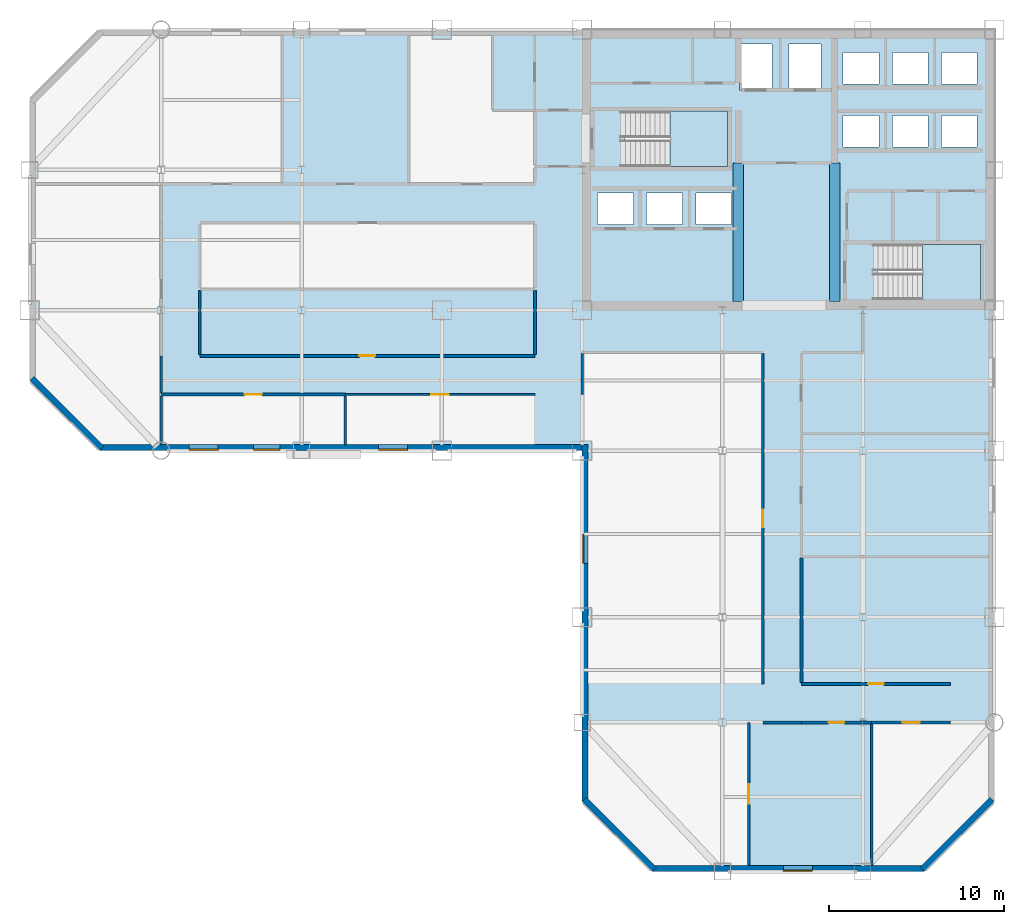
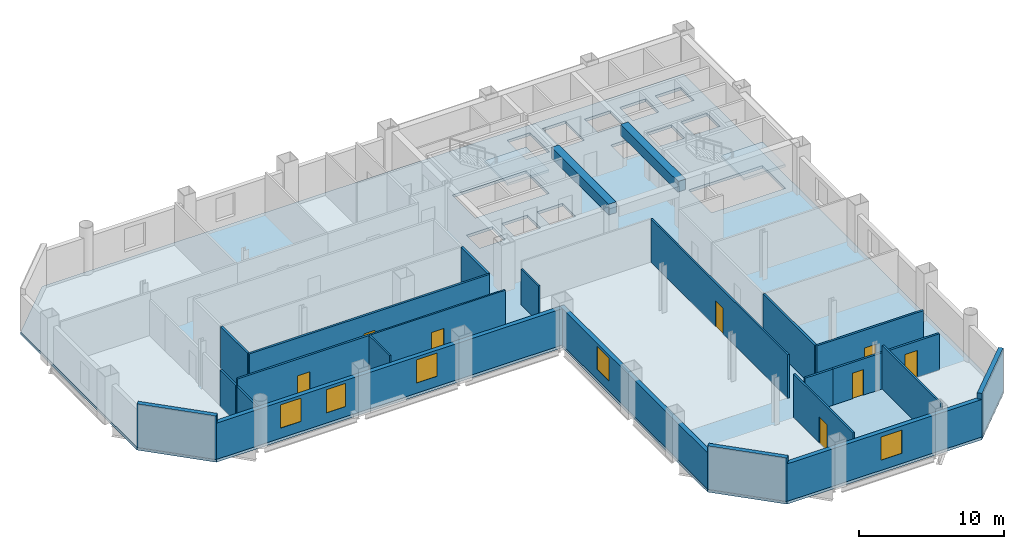
# One storey, part 5 of 10: 23 walls, 8 doors, 5 windows, 3 slabs, 2 beams, 13 openings, 2 elements without a shape of their own.
"""IFC4 building model written with IfcOpenShell, lengths in metres."""

from ifc_helpers import new_model, si_unit, direction, frame, frame_2d, origin, origin_2d, place, context, subcontext, project, spatial, polyline, rectangle, outline, extrude, material, layer, layer_set, material_profile, profile_set, type_object, element, fill, aggregate, save


model = new_model("IFC4")

# Units and contexts
model_context = context("Model", 3, precision=1e-05, world=origin(), true_north=direction((0.0, 1.0)))
body_context = subcontext(model_context, "Body", "Model", "MODEL_VIEW")
ifc_project = project(units=[si_unit("LENGTHUNIT", "METRE"), si_unit("AREAUNIT", "SQUARE_METRE"), si_unit("VOLUMEUNIT", "CUBIC_METRE"), si_unit("PLANEANGLEUNIT", "RADIAN"), si_unit("MASSUNIT", "GRAM", prefix="KILO")], contexts=[model_context])

# Site, building, storey
site_placement = place(None, origin())
site = spatial("IfcSite", under=ifc_project, at=site_placement, CompositionType="ELEMENT")
building_placement = place(site_placement, origin())
building = spatial("IfcBuilding", under=site, at=building_placement, Name="Qianrong Seaharbour Tower", CompositionType="ELEMENT")
storey_placement = place(building_placement, frame((0.0, 0.0, 191.0)))
storey = spatial("IfcBuildingStorey", under=building, at=storey_placement, Name="L46", CompositionType="ELEMENT", Elevation=191.0)

# Beams
ifc_material_1 = material(Name="Concrete C70/85", Category="concrete")
ifc_material_profile = material_profile(ifc_material_1, rectangle(XDim=0.60009765625, YDim=0.89990234375, at=origin_2d()), Name="RC600x900")
ifc_profile_set = profile_set([ifc_material_profile], Name="Concrete C70/85")
beam_type = type_object("IfcBeamType", Name="BM-LINTEL-900", PredefinedType="LINTEL", material=ifc_profile_set)
for number, where, z_axis, x_axis, name in (
    (1, (49.39990234375, 36.5, 3.199951171875), (0.0, 1.0, 0.0), (-1.0, 0.0, 0.0), "L46 Internal Core Coupling Beam IW1"),
    (2, (54.89990234375, 36.5, 3.199951171875), (0.0, 1.0, 0.0), (-1.0, 0.0, 0.0), "L46 Internal Core Coupling Beam IW2"),
):
    element("IfcBeam", number, at=place(storey_placement, frame(where, z_axis=z_axis, x_axis=x_axis)), inside=storey, type_object=beam_type, Name=name, PredefinedType="LINTEL", context=body_context, shape_type="SweptSolid", body=[
        extrude(rectangle(XDim=0.60009765625, YDim=0.89990234375, at=origin_2d()), origin(), (0.0, 0.0, 1.0), 7.89990234375),
    ])

# Stair, slab
ifc_material_2 = material(Name="Concrete C50/60", Category="concrete")
stair_type = type_object("IfcStairType", Name="STAIR-DOGLEG-1500-R22", PredefinedType="HALF_TURN_STAIR", material=ifc_material_2)
stair_1_placement = place(storey_placement, origin())
stair_1 = element("IfcStair", 3, at=stair_1_placement, inside=storey, type_object=stair_type, Name="L46 Protected Escape Stair ST-1", PredefinedType="HALF_TURN_STAIR")
ifc_layer_1 = layer(ifc_material_2, 0.199951171875)
ifc_layer_set_1 = layer_set([ifc_layer_1], Name="Concrete C50/60")
slab_type_1 = type_object("IfcSlabType", Name="SLAB-STAIR-LANDING-200", PredefinedType="LANDING", material=ifc_layer_set_1)
slab_1_placement = place(storey_placement, frame((0.0, 0.0, 1.800048828125)))
slab_1 = element("IfcSlab", 4, at=slab_1_placement, type_object=slab_type_1, Name="ST-1 landing 1", PredefinedType="LANDING", context=body_context, shape_type="SweptSolid", body=[
    extrude(outline(polyline([(45.5, 44.199951171875), (48.800048828125, 44.199951171875), (48.800048828125, 47.35009765625), (45.5, 47.35009765625), (45.5, 44.199951171875)])), origin(), (0.0, 0.0, 1.0), 0.199951171875),
])
aggregate(stair_1, [slab_1])

stair_2_placement = place(storey_placement, origin())
stair_2 = element("IfcStair", 5, at=stair_2_placement, inside=storey, type_object=stair_type, Name="L46 Protected Escape Stair ST-2", PredefinedType="HALF_TURN_STAIR")
slab_2_placement = place(storey_placement, frame((0.0, 0.0, 1.800048828125)))
slab_2 = element("IfcSlab", 6, at=slab_2_placement, type_object=slab_type_1, Name="ST-2 landing 1", PredefinedType="LANDING", context=body_context, shape_type="SweptSolid", body=[
    extrude(outline(polyline([(59.89990234375, 36.60009765625), (63.199951171875, 36.60009765625), (63.199951171875, 39.75), (59.89990234375, 39.75), (59.89990234375, 36.60009765625)])), origin(), (0.0, 0.0, 1.0), 0.199951171875),
])
aggregate(stair_2, [slab_2])

# Slab
ifc_layer_2 = layer(ifc_material_2, 0.235107421875)
ifc_layer_set_2 = layer_set([ifc_layer_2], Name="Concrete C50/60")
slab_type_2 = type_object("IfcSlabType", Name="SLAB-Z2-235", PredefinedType="FLOOR", material=ifc_layer_set_2)
slab_3_placement = place(storey_placement, frame((0.0, 0.0, -0.235107421875)))
element("IfcSlab", 7, at=slab_3_placement, inside=storey, type_object=slab_type_2, Name="L46 Structural Floor Slab", PredefinedType="FLOOR", context=body_context, shape_type="SweptSolid", body=[
    extrude(outline(polyline([(44.5, 4.0), (60.0, 4.0), (64.0, 8.0), (64.0, 52.0), (13.0, 52.0), (9.0, 48.0), (9.0, 32.0), (13.0, 28.0), (40.5, 28.0), (40.5, 8.0), (44.5, 4.0)]), holes=[polyline([(42.93994140625, 44.199951171875), (42.93994140625, 47.35009765625), (48.800048828125, 47.35009765625), (48.800048828125, 44.199951171875), (42.93994140625, 44.199951171875)]), polyline([(57.340087890625, 36.60009765625), (57.340087890625, 39.75), (63.199951171875, 39.75), (63.199951171875, 36.60009765625), (57.340087890625, 36.60009765625)]), polyline([(49.47998046875, 48.530029296875), (49.47998046875, 51.169921875), (51.320068359375, 51.169921875), (51.320068359375, 48.530029296875), (49.47998046875, 48.530029296875)]), polyline([(52.280029296875, 48.530029296875), (52.280029296875, 51.169921875), (54.1201171875, 51.169921875), (54.1201171875, 48.530029296875), (52.280029296875, 48.530029296875)]), polyline([(41.3798828125, 40.89990234375), (41.3798828125, 42.699951171875), (43.419921875, 42.699951171875), (43.419921875, 40.89990234375), (41.3798828125, 40.89990234375)]), polyline([(44.179931640625, 40.89990234375), (44.179931640625, 42.699951171875), (46.219970703125, 42.699951171875), (46.219970703125, 40.89990234375), (44.179931640625, 40.89990234375)]), polyline([(46.97998046875, 40.89990234375), (46.97998046875, 42.699951171875), (49.02001953125, 42.699951171875), (49.02001953125, 40.89990234375), (46.97998046875, 40.89990234375)]), polyline([(55.3798828125, 45.300048828125), (55.3798828125, 47.10009765625), (57.419921875, 47.10009765625), (57.419921875, 45.300048828125), (55.3798828125, 45.300048828125)]), polyline([(58.179931640625, 45.300048828125), (58.179931640625, 47.10009765625), (60.219970703125, 47.10009765625), (60.219970703125, 45.300048828125), (58.179931640625, 45.300048828125)]), polyline([(60.97998046875, 45.300048828125), (60.97998046875, 47.10009765625), (63.02001953125, 47.10009765625), (63.02001953125, 45.300048828125), (60.97998046875, 45.300048828125)]), polyline([(55.3798828125, 48.89990234375), (55.3798828125, 50.699951171875), (57.419921875, 50.699951171875), (57.419921875, 48.89990234375), (55.3798828125, 48.89990234375)]), polyline([(58.179931640625, 48.89990234375), (58.179931640625, 50.699951171875), (60.219970703125, 50.699951171875), (60.219970703125, 48.89990234375), (58.179931640625, 48.89990234375)]), polyline([(60.97998046875, 48.89990234375), (60.97998046875, 50.699951171875), (63.02001953125, 50.699951171875), (63.02001953125, 48.89990234375), (60.97998046875, 48.89990234375)])]), origin(), (0.0, 0.0, 1.0), 0.235107421875),
])

# Wall, opening, door
ifc_material_3 = material(Name="Fire-rated acoustic gypsum board partition")
ifc_layer_3 = layer(ifc_material_3, 0.1650390625)
ifc_layer_set_3 = layer_set([ifc_layer_3], Name="Fire-rated acoustic gypsum board partition")
wall_type_1 = type_object("IfcWallType", Name="WALL-CORR-PART-165", PredefinedType="PARTITIONING", material=ifc_layer_set_3)
wall_1_placement = place(storey_placement, frame((18.699951171875, 33.39990234375, 0.0), z_axis=(0.0, 0.0, 1.0), x_axis=(1.0, 0.0, 0.0)))
wall_1 = element("IfcWall", 8, at=wall_1_placement, inside=storey, type_object=wall_type_1, Name="L46 Interior Partition Wall 017", PredefinedType="PARTITIONING", context=body_context, shape_type="SweptSolid", body=[
    extrude(rectangle(XDim=19.10009765625, YDim=0.1650390625, at=frame_2d((9.550048828125, 0.0))), origin(), (0.0, 0.0, 1.0), 3.64990234375),
])
opening_1_placement = place(wall_1_placement, frame((9.10009765625, 0.0, 0.0)))
opening_1 = element("IfcOpeningElement", 9, at=opening_1_placement, cuts=wall_1, Name="Opening DS-01", PredefinedType="OPENING", context=body_context, shape_type="SweptSolid", body=[
    extrude(rectangle(XDim=0.89990234375, YDim=2.14990234375, at=frame_2d((0.449951171875, 1.074951171875))), frame((0.0, 0.092529296875, 0.0), z_axis=(0.0, -1.0, 0.0), x_axis=(1.0, 0.0, 0.0)), (0.0, 0.0, 1.0), 0.18505859375),
])
ifc_material_4 = material(Name="Acoustic timber and galvanized steel fire door assembly", Category="steel")
door_type_1 = type_object("IfcDoorType", Name="DOOR-STORE-900x2150", OperationType="NOTDEFINED", PredefinedType="DOOR", material=ifc_material_4)
door_1_placement = place(opening_1_placement, origin())
door_1 = element("IfcDoor", 10, at=door_1_placement, inside=storey, type_object=door_type_1, Name="L46 Deed Registry Vault Store 1 Door", OperationType="SINGLE_SWING_LEFT", OverallHeight=2.14990234375, OverallWidth=0.89990234375, PredefinedType="DOOR", context=body_context, shape_type="SweptSolid", body=[
    extrude(rectangle(XDim=0.89990234375, YDim=2.14990234375, at=frame_2d((0.449951171875, 1.074951171875))), frame((0.0, 0.02490234375, 0.0), z_axis=(0.0, -1.0, 0.0), x_axis=(1.0, 0.0, 0.0)), (0.0, 0.0, 1.0), 0.050048828125),
])
fill(opening_1, door_1)

# Wall
wall_2_placement = place(storey_placement, frame((16.5, 31.2744140625, 0.0), z_axis=(0.0, 0.0, 1.0), x_axis=(0.0, 1.0, 0.0)))
element("IfcWall", 11, at=wall_2_placement, inside=storey, type_object=wall_type_1, Name="L46 Interior Partition Wall 018", PredefinedType="PARTITIONING", context=body_context, shape_type="SweptSolid", body=[
    extrude(rectangle(XDim=2.12548828125, YDim=0.1650390625, at=frame_2d((1.062744140625, 0.0))), origin(), (0.0, 0.0, 1.0), 3.0419921875),
])

# Wall, opening, door
wall_3_placement = place(storey_placement, frame((27.0, 31.199951171875, 0.0), z_axis=(0.0, 0.0, 1.0), x_axis=(-1.0, 0.0, 0.0)))
wall_3 = element("IfcWall", 12, at=wall_3_placement, inside=storey, type_object=wall_type_1, Name="L46 Interior Partition Wall 019", PredefinedType="PARTITIONING", context=body_context, shape_type="SweptSolid", body=[
    extrude(rectangle(XDim=10.5, YDim=0.1650390625, at=frame_2d((5.25, 0.0))), origin(), (0.0, 0.0, 1.0), 3.64990234375),
])
opening_2_placement = place(wall_3_placement, frame((4.760009765625, 0.0, 0.0)))
opening_2 = element("IfcOpeningElement", 13, at=opening_2_placement, cuts=wall_3, Name="Opening DE-01", PredefinedType="OPENING", context=body_context, shape_type="SweptSolid", body=[
    extrude(rectangle(XDim=0.97998046875, YDim=2.25, at=frame_2d((0.489990234375, 1.125))), frame((0.0, 0.092529296875, 0.0), z_axis=(0.0, -1.0, 0.0), x_axis=(1.0, 0.0, 0.0)), (0.0, 0.0, 1.0), 0.18505859375),
])
door_type_2 = type_object("IfcDoorType", Name="DOOR-EXEC-980x2250", OperationType="NOTDEFINED", PredefinedType="DOOR", material=ifc_material_4)
door_2_placement = place(opening_2_placement, origin())
door_2 = element("IfcDoor", 14, at=door_2_placement, inside=storey, type_object=door_type_2, Name="L46 Partner Chambers Office 1 Door", OperationType="SINGLE_SWING_RIGHT", OverallHeight=2.25, OverallWidth=0.97998046875, PredefinedType="DOOR", context=body_context, shape_type="SweptSolid", body=[
    extrude(rectangle(XDim=0.97998046875, YDim=2.25, at=frame_2d((0.489990234375, 1.125))), frame((0.0, 0.02490234375, 0.0), z_axis=(0.0, -1.0, 0.0), x_axis=(1.0, 0.0, 0.0)), (0.0, 0.0, 1.0), 0.050048828125),
])
fill(opening_2, door_2)

# Walls
for number, where, z_axis, x_axis, name in (
    (15, (18.699951171875, 37.135498046875, 0.0), (0.0, 0.0, 1.0), (0.0, -1.0, 0.0), "L46 Interior Partition Wall 026"),
    (16, (37.800048828125, 33.474609375, 0.0), (0.0, 0.0, 1.0), (0.0, 1.0, 0.0), "L46 Interior Partition Wall 030"),
):
    element("IfcWall", number, at=place(storey_placement, frame(where, z_axis=z_axis, x_axis=x_axis)), inside=storey, type_object=wall_type_1, Name=name, PredefinedType="PARTITIONING", context=body_context, shape_type="SweptSolid", body=[
        extrude(rectangle(XDim=3.660888671875, YDim=0.1650390625, at=frame_2d((1.83056640625, 0.0))), origin(), (0.0, 0.0, 1.0), 3.64990234375),
    ])
wall_4_placement = place(storey_placement, frame((53.0, 21.87548828125, 0.0), z_axis=(0.0, 0.0, 1.0), x_axis=(0.0, -1.0, 0.0)))
element("IfcWall", 17, at=wall_4_placement, inside=storey, type_object=wall_type_1, Name="L46 Interior Partition Wall 036", PredefinedType="PARTITIONING", context=body_context, shape_type="SweptSolid", body=[
    extrude(rectangle(XDim=7.10107421875, YDim=0.1650390625, at=frame_2d((3.550537109375, 0.0))), origin(), (0.0, 0.0, 1.0), 3.64990234375),
])
wall_5_placement = place(storey_placement, frame((53.0, 12.5, 0.0), z_axis=(0.0, 0.0, 1.0), x_axis=(-1.0, 0.0, 0.0)))
element("IfcWall", 18, at=wall_5_placement, inside=storey, type_object=wall_type_1, Name="L46 Interior Partition Wall 040", PredefinedType="PARTITIONING", context=body_context, shape_type="SweptSolid", body=[
    extrude(rectangle(XDim=2.199951171875, YDim=0.1650390625, at=frame_2d((1.10009765625, 0.0))), origin(), (0.0, 0.0, 1.0), 3.0419921875),
])

# Wall, opening, door
wall_6_placement = place(storey_placement, frame((53.0, 14.699951171875, 0.0), z_axis=(0.0, 0.0, 1.0), x_axis=(1.0, 0.0, 0.0)))
wall_6 = element("IfcWall", 19, at=wall_6_placement, inside=storey, type_object=wall_type_1, Name="L46 Interior Partition Wall 041", PredefinedType="PARTITIONING", context=body_context, shape_type="SweptSolid", body=[
    extrude(rectangle(XDim=8.5, YDim=0.1650390625, at=frame_2d((4.25, 0.0))), origin(), (0.0, 0.0, 1.0), 3.64990234375),
])
opening_3_placement = place(wall_6_placement, frame((3.800048828125, 0.0, 0.0)))
opening_3 = element("IfcOpeningElement", 20, at=opening_3_placement, cuts=wall_6, Name="Opening DS-01", PredefinedType="OPENING", context=body_context, shape_type="SweptSolid", body=[
    extrude(rectangle(XDim=0.89990234375, YDim=2.14990234375, at=frame_2d((0.449951171875, 1.074951171875))), frame((0.0, 0.092529296875, 0.0), z_axis=(0.0, -1.0, 0.0), x_axis=(1.0, 0.0, 0.0)), (0.0, 0.0, 1.0), 0.18505859375),
])
door_3_placement = place(opening_3_placement, origin())
door_3 = element("IfcDoor", 21, at=door_3_placement, inside=storey, type_object=door_type_1, Name="L46 Docket Archive Store 1 Door", OperationType="SINGLE_SWING_RIGHT", OverallHeight=2.14990234375, OverallWidth=0.89990234375, PredefinedType="DOOR", context=body_context, shape_type="SweptSolid", body=[
    extrude(rectangle(XDim=0.89990234375, YDim=2.14990234375, at=frame_2d((0.449951171875, 1.074951171875))), frame((0.0, 0.02490234375, 0.0), z_axis=(0.0, -1.0, 0.0), x_axis=(1.0, 0.0, 0.0)), (0.0, 0.0, 1.0), 0.050048828125),
])
fill(opening_3, door_3)

wall_7_placement = place(storey_placement, frame((57.0, 12.5, 0.0), z_axis=(0.0, 0.0, 1.0), x_axis=(-1.0, 0.0, 0.0)))
wall_7 = element("IfcWall", 22, at=wall_7_placement, inside=storey, type_object=wall_type_1, Name="L46 Interior Partition Wall 042", PredefinedType="PARTITIONING", context=body_context, shape_type="SweptSolid", body=[
    extrude(rectangle(XDim=4.0, YDim=0.1650390625, at=frame_2d((2.0, 0.0))), origin(), (0.0, 0.0, 1.0), 3.0419921875),
])
opening_4_placement = place(wall_7_placement, frame((1.550048828125, 0.0, 0.0)))
opening_4 = element("IfcOpeningElement", 23, at=opening_4_placement, cuts=wall_7, Name="Opening DS-01", PredefinedType="OPENING", context=body_context, shape_type="SweptSolid", body=[
    extrude(rectangle(XDim=0.89990234375, YDim=2.14990234375, at=frame_2d((0.449951171875, 1.074951171875))), frame((0.0, 0.092529296875, 0.0), z_axis=(0.0, -1.0, 0.0), x_axis=(1.0, 0.0, 0.0)), (0.0, 0.0, 1.0), 0.18505859375),
])
door_4_placement = place(opening_4_placement, origin())
door_4 = element("IfcDoor", 24, at=door_4_placement, inside=storey, type_object=door_type_1, Name="L46 Corporate Archive Room 2 Door", OperationType="SINGLE_SWING_LEFT", OverallHeight=2.14990234375, OverallWidth=0.89990234375, PredefinedType="DOOR", context=body_context, shape_type="SweptSolid", body=[
    extrude(rectangle(XDim=0.89990234375, YDim=2.14990234375, at=frame_2d((0.449951171875, 1.074951171875))), frame((0.0, 0.02490234375, 0.0), z_axis=(0.0, -1.0, 0.0), x_axis=(1.0, 0.0, 0.0)), (0.0, 0.0, 1.0), 0.050048828125),
])
fill(opening_4, door_4)

wall_8_placement = place(storey_placement, frame((61.5, 12.5, 0.0), z_axis=(0.0, 0.0, 1.0), x_axis=(-1.0, 0.0, 0.0)))
wall_8 = element("IfcWall", 25, at=wall_8_placement, inside=storey, type_object=wall_type_1, Name="L46 Interior Partition Wall 043", PredefinedType="PARTITIONING", context=body_context, shape_type="SweptSolid", body=[
    extrude(rectangle(XDim=4.5, YDim=0.1650390625, at=frame_2d((2.25, 0.0))), origin(), (0.0, 0.0, 1.0), 3.0419921875),
])
opening_5_placement = place(wall_8_placement, frame((1.760009765625, 0.0, 0.0)))
opening_5 = element("IfcOpeningElement", 26, at=opening_5_placement, cuts=wall_8, Name="Opening DE-01", PredefinedType="OPENING", context=body_context, shape_type="SweptSolid", body=[
    extrude(rectangle(XDim=0.97998046875, YDim=2.25, at=frame_2d((0.489990234375, 1.125))), frame((0.0, 0.092529296875, 0.0), z_axis=(0.0, -1.0, 0.0), x_axis=(1.0, 0.0, 0.0)), (0.0, 0.0, 1.0), 0.18505859375),
])
door_5_placement = place(opening_5_placement, origin())
door_5 = element("IfcDoor", 27, at=door_5_placement, inside=storey, type_object=door_type_2, Name="L46 Senior Partner Office 3 Door", OperationType="SINGLE_SWING_RIGHT", OverallHeight=2.25, OverallWidth=0.97998046875, PredefinedType="DOOR", context=body_context, shape_type="SweptSolid", body=[
    extrude(rectangle(XDim=0.97998046875, YDim=2.25, at=frame_2d((0.489990234375, 1.125))), frame((0.0, 0.02490234375, 0.0), z_axis=(0.0, -1.0, 0.0), x_axis=(1.0, 0.0, 0.0)), (0.0, 0.0, 1.0), 0.050048828125),
])
fill(opening_5, door_5)

# Wall, opening, window
ifc_material_5 = material(Name="Unitised buff brick on Precast concrete C45/55", Category="masonry")
ifc_layer_4 = layer(ifc_material_5, 0.340087890625)
ifc_layer_set_4 = layer_set([ifc_layer_4], Name="Unitised buff brick on Precast concrete C45/55")
wall_type_2 = type_object("IfcWallType", Name="WALL-EXT-BRICK-BUFF-340", PredefinedType="SOLIDWALL", material=ifc_layer_set_4)
wall_9_placement = place(storey_placement, frame((40.669921875, 8.0, 0.0), z_axis=(0.0, 0.0, 1.0), x_axis=(0.0, 1.0, 0.0)))
wall_9 = element("IfcWall", 28, at=wall_9_placement, inside=storey, type_object=wall_type_2, Name="L46 Exterior Masonry Facade Wall REENTRANT_WEST", PredefinedType="SOLIDWALL", context=body_context, shape_type="SweptSolid", body=[
    extrude(rectangle(XDim=20.340087890625, YDim=0.340087890625, at=frame_2d((10.169921875, 0.0))), origin(), (0.0, 0.0, 1.0), 3.050048828125),
])
opening_6_placement = place(wall_9_placement, frame((13.574951171875, 0.0, 0.85009765625)))
opening_6 = element("IfcOpeningElement", 29, at=opening_6_placement, cuts=wall_9, Name="Opening WN-04", PredefinedType="OPENING", context=body_context, shape_type="SweptSolid", body=[
    extrude(rectangle(XDim=1.64990234375, YDim=1.949951171875, at=frame_2d((0.824951171875, 0.97509765625))), frame((0.0, 0.18017578125, 0.0), z_axis=(0.0, -1.0, 0.0), x_axis=(1.0, 0.0, 0.0)), (0.0, 0.0, 1.0), 0.360107421875),
])
ifc_material_6 = material(Name="Insulated low-e double glazing in thermally broken aluminium 6063-T6 frame", Category="aluminium")
window_type_1 = type_object("IfcWindowType", Name="WIN-PUNCH-1650x1950", PartitioningType="DOUBLE_PANEL_VERTICAL", PredefinedType="WINDOW", material=ifc_material_6)
window_1_placement = place(opening_6_placement, origin())
window_1 = element("IfcWindow", 30, at=window_1_placement, inside=storey, type_object=window_type_1, Name="L46 Deep-Set Punched Window 00.04", OverallHeight=1.949951171875, OverallWidth=1.64990234375, PartitioningType="DOUBLE_PANEL_VERTICAL", PredefinedType="WINDOW", context=body_context, shape_type="SweptSolid", body=[
    extrude(rectangle(XDim=1.64990234375, YDim=1.949951171875, at=frame_2d((0.824951171875, 0.97509765625))), frame((0.0, 0.150146484375, 0.0), z_axis=(0.0, -1.0, 0.0), x_axis=(1.0, 0.0, 0.0)), (0.0, 0.0, 1.0), 0.06005859375),
])
fill(opening_6, window_1)

# Wall, openings, windows
wall_10_placement = place(storey_placement, frame((40.52001953125, 28.169921875, 0.0), z_axis=(0.0, 0.0, 1.0), x_axis=(-1.0, 0.0, 0.0)))
wall_10 = element("IfcWall", 31, at=wall_10_placement, inside=storey, type_object=wall_type_2, Name="L46 Exterior Masonry Facade Wall HARBOUR_RIBBON", PredefinedType="SOLIDWALL", context=body_context, shape_type="SweptSolid", body=[
    extrude(rectangle(XDim=27.52001953125, YDim=0.340087890625, at=frame_2d((13.760009765625, 0.0))), origin(), (0.0, 0.0, 1.0), 3.050048828125),
])
opening_7_placement = place(wall_10_placement, frame((9.97509765625, 0.0, 0.85009765625)))
opening_7 = element("IfcOpeningElement", 32, at=opening_7_placement, cuts=wall_10, Name="Opening WN-04", PredefinedType="OPENING", context=body_context, shape_type="SweptSolid", body=[
    extrude(rectangle(XDim=1.64990234375, YDim=1.949951171875, at=frame_2d((0.824951171875, 0.97509765625))), frame((0.0, 0.18017578125, 0.0), z_axis=(0.0, -1.0, 0.0), x_axis=(1.0, 0.0, 0.0)), (0.0, 0.0, 1.0), 0.360107421875),
])
opening_8_placement = place(wall_10_placement, frame((17.25, 0.0, 0.85009765625)))
opening_8 = element("IfcOpeningElement", 33, at=opening_8_placement, cuts=wall_10, Name="Opening WN-03", PredefinedType="OPENING", context=body_context, shape_type="SweptSolid", body=[
    extrude(rectangle(XDim=1.5, YDim=1.949951171875, at=frame_2d((0.75, 0.97509765625))), frame((0.0, 0.18017578125, 0.0), z_axis=(0.0, -1.0, 0.0), x_axis=(1.0, 0.0, 0.0)), (0.0, 0.0, 1.0), 0.360107421875),
])
opening_9_placement = place(wall_10_placement, frame((20.77490234375, 0.0, 0.85009765625)))
opening_9 = element("IfcOpeningElement", 34, at=opening_9_placement, cuts=wall_10, Name="Opening WN-04", PredefinedType="OPENING", context=body_context, shape_type="SweptSolid", body=[
    extrude(rectangle(XDim=1.64990234375, YDim=1.949951171875, at=frame_2d((0.824951171875, 0.97509765625))), frame((0.0, 0.18017578125, 0.0), z_axis=(0.0, -1.0, 0.0), x_axis=(1.0, 0.0, 0.0)), (0.0, 0.0, 1.0), 0.360107421875),
])
window_type_2 = type_object("IfcWindowType", Name="WIN-PUNCH-1500x1950", PartitioningType="DOUBLE_PANEL_VERTICAL", PredefinedType="WINDOW", material=ifc_material_6)
window_2_placement = place(opening_8_placement, origin())
window_2 = element("IfcWindow", 35, at=window_2_placement, inside=storey, type_object=window_type_2, Name="L46 Deep-Set Punched Window 01.05", OverallHeight=1.949951171875, OverallWidth=1.5, PartitioningType="DOUBLE_PANEL_VERTICAL", PredefinedType="WINDOW", context=body_context, shape_type="SweptSolid", body=[
    extrude(rectangle(XDim=1.5, YDim=1.949951171875, at=frame_2d((0.75, 0.97509765625))), frame((0.0, 0.150146484375, 0.0), z_axis=(0.0, -1.0, 0.0), x_axis=(1.0, 0.0, 0.0)), (0.0, 0.0, 1.0), 0.06005859375),
])
fill(opening_8, window_2)
window_3_placement = place(opening_7_placement, origin())
window_3 = element("IfcWindow", 36, at=window_3_placement, inside=storey, type_object=window_type_1, Name="L46 Deep-Set Punched Window 01.03", OverallHeight=1.949951171875, OverallWidth=1.64990234375, PartitioningType="DOUBLE_PANEL_VERTICAL", PredefinedType="WINDOW", context=body_context, shape_type="SweptSolid", body=[
    extrude(rectangle(XDim=1.64990234375, YDim=1.949951171875, at=frame_2d((0.824951171875, 0.97509765625))), frame((0.0, 0.150146484375, 0.0), z_axis=(0.0, -1.0, 0.0), x_axis=(1.0, 0.0, 0.0)), (0.0, 0.0, 1.0), 0.06005859375),
])
fill(opening_7, window_3)
window_4_placement = place(opening_9_placement, origin())
window_4 = element("IfcWindow", 37, at=window_4_placement, inside=storey, type_object=window_type_1, Name="L46 Deep-Set Punched Window 01.06", OverallHeight=1.949951171875, OverallWidth=1.64990234375, PartitioningType="DOUBLE_PANEL_VERTICAL", PredefinedType="WINDOW", context=body_context, shape_type="SweptSolid", body=[
    extrude(rectangle(XDim=1.64990234375, YDim=1.949951171875, at=frame_2d((0.824951171875, 0.97509765625))), frame((0.0, 0.150146484375, 0.0), z_axis=(0.0, -1.0, 0.0), x_axis=(1.0, 0.0, 0.0)), (0.0, 0.0, 1.0), 0.06005859375),
])
fill(opening_9, window_4)

# Walls
for number, where, z_axis, x_axis, name in (
    (38, (13.1201171875, 28.1201171875, 0.0), (0.0, 0.0, 1.0), (-0.707106781187, 0.707106781187, 0.0), "L46 Exterior Masonry Facade Wall E02"),
    (39, (63.8798828125, 8.1201171875, 0.0), (0.0, 0.0, 1.0), (-0.707106781187, -0.707106781187, 0.0), "L46 Exterior Masonry Facade Wall E07"),
):
    element("IfcWall", number, at=place(storey_placement, frame(where, z_axis=z_axis, x_axis=x_axis)), inside=storey, type_object=wall_type_2, Name=name, PredefinedType="SOLIDWALL", context=body_context, shape_type="SweptSolid", body=[
        extrude(rectangle(XDim=5.65673828125, YDim=0.340087890625, at=frame_2d((2.828369140625, 0.0))), origin(), (0.0, 0.0, 1.0), 3.64990234375),
    ])

# Wall, opening, window
wall_11_placement = place(storey_placement, frame((60.0, 4.169921875, 0.0), z_axis=(0.0, 0.0, 1.0), x_axis=(-1.0, 0.0, 0.0)))
wall_11 = element("IfcWall", 40, at=wall_11_placement, inside=storey, type_object=wall_type_2, Name="L46 Exterior Masonry Facade Wall SOUTH_TIP", PredefinedType="SOLIDWALL", context=body_context, shape_type="SweptSolid", body=[
    extrude(rectangle(XDim=15.5, YDim=0.340087890625, at=frame_2d((7.75, 0.0))), origin(), (0.0, 0.0, 1.0), 3.14990234375),
])
opening_10_placement = place(wall_11_placement, frame((6.375, 0.0, 0.85009765625)))
opening_10 = element("IfcOpeningElement", 41, at=opening_10_placement, cuts=wall_11, Name="Opening WN-04", PredefinedType="OPENING", context=body_context, shape_type="SweptSolid", body=[
    extrude(rectangle(XDim=1.64990234375, YDim=1.949951171875, at=frame_2d((0.824951171875, 0.97509765625))), frame((0.0, 0.18017578125, 0.0), z_axis=(0.0, -1.0, 0.0), x_axis=(1.0, 0.0, 0.0)), (0.0, 0.0, 1.0), 0.360107421875),
])
window_5_placement = place(opening_10_placement, origin())
window_5 = element("IfcWindow", 42, at=window_5_placement, inside=storey, type_object=window_type_1, Name="L46 Deep-Set Punched Window 08.02", OverallHeight=1.949951171875, OverallWidth=1.64990234375, PartitioningType="DOUBLE_PANEL_VERTICAL", PredefinedType="WINDOW", context=body_context, shape_type="SweptSolid", body=[
    extrude(rectangle(XDim=1.64990234375, YDim=1.949951171875, at=frame_2d((0.824951171875, 0.97509765625))), frame((0.0, 0.150146484375, 0.0), z_axis=(0.0, -1.0, 0.0), x_axis=(1.0, 0.0, 0.0)), (0.0, 0.0, 1.0), 0.06005859375),
])
fill(opening_10, window_5)

# Walls
wall_12_placement = place(storey_placement, frame((44.6201171875, 4.1201171875, 0.0), z_axis=(0.0, 0.0, 1.0), x_axis=(-0.707106781187, 0.707106781187, 0.0)))
element("IfcWall", 43, at=wall_12_placement, inside=storey, type_object=wall_type_2, Name="L46 Exterior Masonry Facade Wall E09", PredefinedType="SOLIDWALL", context=body_context, shape_type="SweptSolid", body=[
    extrude(rectangle(XDim=5.65673828125, YDim=0.340087890625, at=frame_2d((2.828369140625, 0.0))), origin(), (0.0, 0.0, 1.0), 3.64990234375),
])
ifc_material_7 = material(Name="Acoustic gypsum board stud partition")
ifc_layer_5 = layer(ifc_material_7, 0.14501953125)
ifc_layer_set_5 = layer_set([ifc_layer_5], Name="Acoustic gypsum board stud partition")
wall_type_3 = type_object("IfcWallType", Name="WALL-OFFICE-PART-145", PredefinedType="PARTITIONING", material=ifc_layer_set_5)
wall_13_placement = place(storey_placement, frame((16.5, 31.12548828125, 0.0), z_axis=(0.0, 0.0, 1.0), x_axis=(0.0, -1.0, 0.0)))
element("IfcWall", 44, at=wall_13_placement, inside=storey, type_object=wall_type_3, Name="L46 Interior Partition Wall 048", PredefinedType="PARTITIONING", context=body_context, shape_type="SweptSolid", body=[
    extrude(rectangle(XDim=2.79345703125, YDim=0.14501953125, at=frame_2d((1.396728515625, 0.0))), origin(), (0.0, 0.0, 1.0), 3.0419921875),
])

# Wall, opening, door
wall_14_placement = place(storey_placement, frame((50.0, 12.5, 0.0), z_axis=(0.0, 0.0, 1.0), x_axis=(0.0, -1.0, 0.0)))
wall_14 = element("IfcWall", 45, at=wall_14_placement, inside=storey, type_object=wall_type_3, Name="L46 Interior Partition Wall 052", PredefinedType="PARTITIONING", context=body_context, shape_type="SweptSolid", body=[
    extrude(rectangle(XDim=8.16796875, YDim=0.14501953125, at=frame_2d((4.083984375, 0.0))), origin(), (0.0, 0.0, 1.0), 3.64990234375),
])
opening_11_placement = place(wall_14_placement, frame((3.533935546875, 0.0, 0.0)))
opening_11 = element("IfcOpeningElement", 46, at=opening_11_placement, cuts=wall_14, Name="Opening DM-01", PredefinedType="OPENING", context=body_context, shape_type="SweptSolid", body=[
    extrude(rectangle(XDim=1.10009765625, YDim=2.199951171875, at=frame_2d((0.550048828125, 1.10009765625))), frame((0.0, 0.08251953125, 0.0), z_axis=(0.0, -1.0, 0.0), x_axis=(1.0, 0.0, 0.0)), (0.0, 0.0, 1.0), 0.1650390625),
])
door_type_3 = type_object("IfcDoorType", Name="DOOR-MEET-1100x2200", OperationType="NOTDEFINED", PredefinedType="DOOR", material=ifc_material_4)
door_6_placement = place(opening_11_placement, origin())
door_6 = element("IfcDoor", 47, at=door_6_placement, inside=storey, type_object=door_type_3, Name="L46 Mediation Meeting Room 1 Door", OperationType="SINGLE_SWING_RIGHT", OverallHeight=2.199951171875, OverallWidth=1.10009765625, PredefinedType="DOOR", context=body_context, shape_type="SweptSolid", body=[
    extrude(rectangle(XDim=1.10009765625, YDim=2.199951171875, at=frame_2d((0.550048828125, 1.10009765625))), frame((0.0, 0.02490234375, 0.0), z_axis=(0.0, -1.0, 0.0), x_axis=(1.0, 0.0, 0.0)), (0.0, 0.0, 1.0), 0.050048828125),
])
fill(opening_11, door_6)

# Wall
wall_15_placement = place(storey_placement, frame((57.0, 12.425537109375, 0.0), z_axis=(0.0, 0.0, 1.0), x_axis=(0.0, -1.0, 0.0)))
element("IfcWall", 48, at=wall_15_placement, inside=storey, type_object=wall_type_3, Name="L46 Interior Partition Wall 053", PredefinedType="PARTITIONING", context=body_context, shape_type="SweptSolid", body=[
    extrude(rectangle(XDim=8.093505859375, YDim=0.14501953125, at=frame_2d((4.046875, 0.0))), origin(), (0.0, 0.0, 1.0), 3.64990234375),
])

# Wall, opening, door
ifc_material_8 = material(Name="Water-resistant cement board sanitary partition")
ifc_layer_6 = layer(ifc_material_8, 0.1298828125)
ifc_layer_set_6 = layer_set([ifc_layer_6], Name="Water-resistant cement board sanitary partition")
wall_type_4 = type_object("IfcWallType", Name="WALL-WET-PART-130", PredefinedType="PARTITIONING", material=ifc_layer_set_6)
wall_16_placement = place(storey_placement, frame((37.800048828125, 31.199951171875, 0.0), z_axis=(0.0, 0.0, 1.0), x_axis=(-1.0, 0.0, 0.0)))
wall_16 = element("IfcWall", 49, at=wall_16_placement, inside=storey, type_object=wall_type_4, Name="L46 Interior Partition Wall 020", PredefinedType="PARTITIONING", context=body_context, shape_type="SweptSolid", body=[
    extrude(rectangle(XDim=10.800048828125, YDim=0.1298828125, at=frame_2d((5.39990234375, 0.0))), origin(), (0.0, 0.0, 1.0), 3.64990234375),
])
opening_12_placement = place(wall_16_placement, frame((4.89990234375, 0.0, 0.0)))
opening_12 = element("IfcOpeningElement", 50, at=opening_12_placement, cuts=wall_16, Name="Opening DO-01", PredefinedType="OPENING", context=body_context, shape_type="SweptSolid", body=[
    extrude(rectangle(XDim=1.0, YDim=2.14990234375, at=frame_2d((0.5, 1.074951171875))), frame((0.0, 0.074951171875, 0.0), z_axis=(0.0, -1.0, 0.0), x_axis=(1.0, 0.0, 0.0)), (0.0, 0.0, 1.0), 0.14990234375),
])
door_type_4 = type_object("IfcDoorType", Name="DOOR-OFFICE-1000x2150", OperationType="NOTDEFINED", PredefinedType="DOOR", material=ifc_material_4)
door_7_placement = place(opening_12_placement, origin())
door_7 = element("IfcDoor", 51, at=door_7_placement, inside=storey, type_object=door_type_4, Name="L46 Wet Pantry 2 Door", OperationType="SINGLE_SWING_LEFT", OverallHeight=2.14990234375, OverallWidth=1.0, PredefinedType="DOOR", context=body_context, shape_type="SweptSolid", body=[
    extrude(rectangle(XDim=1.0, YDim=2.14990234375, at=frame_2d((0.5, 1.074951171875))), frame((0.0, 0.02490234375, 0.0), z_axis=(0.0, -1.0, 0.0), x_axis=(1.0, 0.0, 0.0)), (0.0, 0.0, 1.0), 0.050048828125),
])
fill(opening_12, door_7)

# Wall
wall_17_placement = place(storey_placement, frame((40.5, 33.54296875, 0.0), z_axis=(0.0, 0.0, 1.0), x_axis=(0.0, -1.0, 0.0)))
element("IfcWall", 52, at=wall_17_placement, inside=storey, type_object=wall_type_4, Name="L46 Interior Partition Wall 032", PredefinedType="PARTITIONING", context=body_context, shape_type="SweptSolid", body=[
    extrude(rectangle(XDim=2.343017578125, YDim=0.1298828125, at=frame_2d((1.17138671875, 0.0))), origin(), (0.0, 0.0, 1.0), 3.0419921875),
])

# Wall, opening, door
wall_18_placement = place(storey_placement, frame((50.800048828125, 14.699951171875, 0.0), z_axis=(0.0, 0.0, 1.0), x_axis=(0.0, 1.0, 0.0)))
wall_18 = element("IfcWall", 53, at=wall_18_placement, inside=storey, type_object=wall_type_4, Name="L46 Interior Partition Wall 039", PredefinedType="PARTITIONING", context=body_context, shape_type="SweptSolid", body=[
    extrude(rectangle(XDim=18.843017578125, YDim=0.1298828125, at=frame_2d((9.42138671875, 0.0))), origin(), (0.0, 0.0, 1.0), 3.64990234375),
])
opening_13_placement = place(wall_18_placement, frame((8.92138671875, 0.0, 0.0)))
opening_13 = element("IfcOpeningElement", 54, at=opening_13_placement, cuts=wall_18, Name="Opening DO-01", PredefinedType="OPENING", context=body_context, shape_type="SweptSolid", body=[
    extrude(rectangle(XDim=1.0, YDim=2.14990234375, at=frame_2d((0.5, 1.074951171875))), frame((0.0, 0.074951171875, 0.0), z_axis=(0.0, -1.0, 0.0), x_axis=(1.0, 0.0, 0.0)), (0.0, 0.0, 1.0), 0.14990234375),
])
door_8_placement = place(opening_13_placement, origin())
door_8 = element("IfcDoor", 55, at=door_8_placement, inside=storey, type_object=door_type_4, Name="L46 Wet Pantry Door", OperationType="SINGLE_SWING_LEFT", OverallHeight=2.14990234375, OverallWidth=1.0, PredefinedType="DOOR", context=body_context, shape_type="SweptSolid", body=[
    extrude(rectangle(XDim=1.0, YDim=2.14990234375, at=frame_2d((0.5, 1.074951171875))), frame((0.0, 0.02490234375, 0.0), z_axis=(0.0, -1.0, 0.0), x_axis=(1.0, 0.0, 0.0)), (0.0, 0.0, 1.0), 0.050048828125),
])
fill(opening_13, door_8)

# Wall
wall_19_placement = place(storey_placement, frame((27.0, 31.12548828125, 0.0), z_axis=(0.0, 0.0, 1.0), x_axis=(0.0, -1.0, 0.0)))
element("IfcWall", 56, at=wall_19_placement, inside=storey, type_object=wall_type_4, Name="L46 Interior Partition Wall 049", PredefinedType="PARTITIONING", context=body_context, shape_type="SweptSolid", body=[
    extrude(rectangle(XDim=2.79345703125, YDim=0.1298828125, at=frame_2d((1.396728515625, 0.0))), origin(), (0.0, 0.0, 1.0), 3.64990234375),
])

save(model, "model.ifc")
